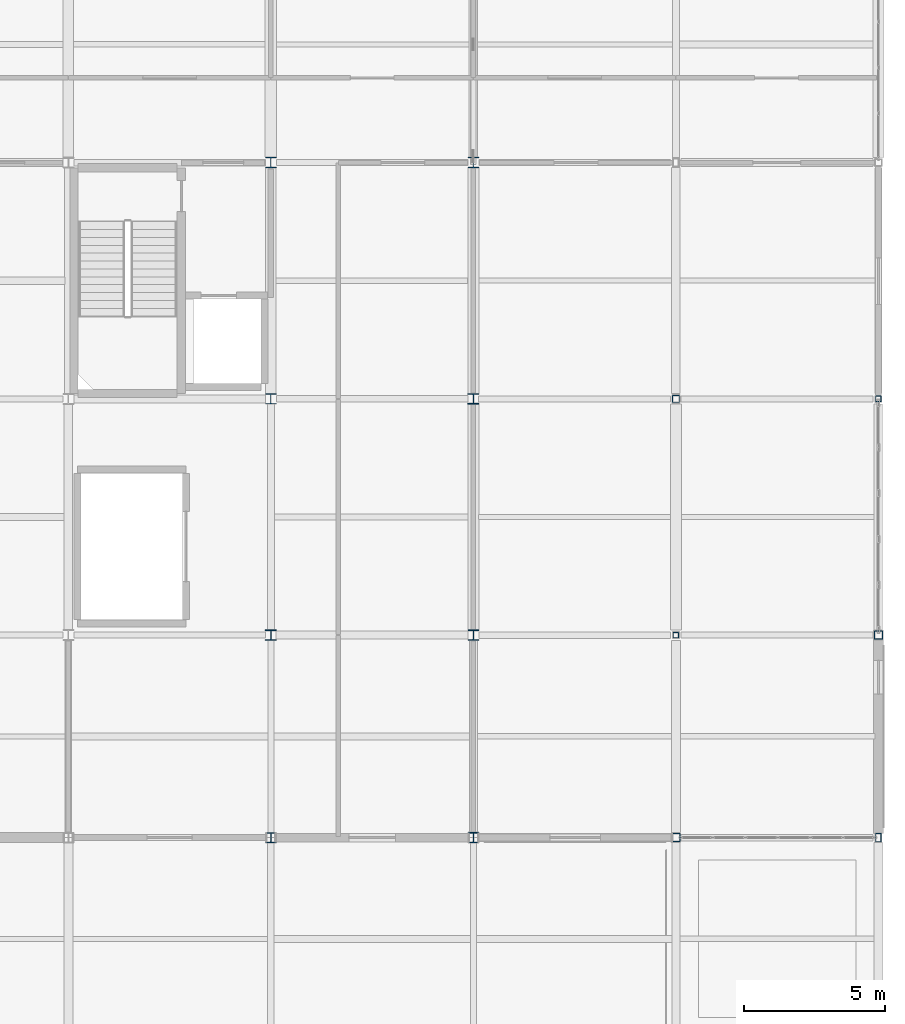
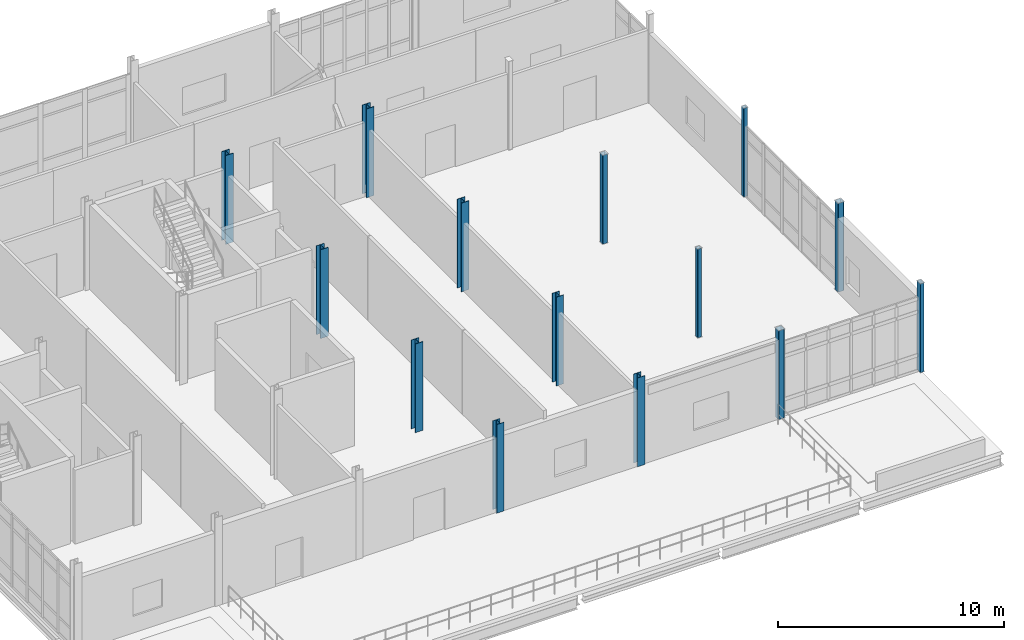
# One storey, part 13 of 153: 14 columns.
"""IFC4 building model written with IfcOpenShell, lengths in metres."""

from ifc_helpers import new_model, si_unit, direction, frame, origin, origin_2d, place, context, subcontext, project, spatial, hollow_rectangle, i_section, extrude, material, material_profile, profile_set, type_object, element, save


model = new_model("IFC4")

# Units and contexts
model_context = context("Model", 3, precision=1e-05, world=origin(), true_north=direction((0.0, 1.0)))
body_context = subcontext(model_context, "Body", "Model", "MODEL_VIEW")
ifc_project = project(units=[si_unit("LENGTHUNIT", "METRE"), si_unit("AREAUNIT", "SQUARE_METRE"), si_unit("VOLUMEUNIT", "CUBIC_METRE"), si_unit("PLANEANGLEUNIT", "RADIAN"), si_unit("MASSUNIT", "GRAM", prefix="KILO")], contexts=[model_context])

# Site, building, storey
site_placement = place(None, origin())
site = spatial("IfcSite", under=ifc_project, at=site_placement, CompositionType="ELEMENT")
building_placement = place(site_placement, origin())
building = spatial("IfcBuilding", under=site, at=building_placement, Name="Calvrana Isthmian Art Gallery", CompositionType="ELEMENT")
storey_placement = place(building_placement, frame((0.0, 0.0, 10.199951171875)))
storey = spatial("IfcBuildingStorey", under=building, at=storey_placement, Name="L02", CompositionType="ELEMENT", Elevation=10.199951171875)

# Columns
ifc_material_1 = material(Name="Steel ASTM A500 Gr C", Category="steel")
ifc_material_profile_1 = material_profile(ifc_material_1, hollow_rectangle(XDim=0.203125, YDim=0.203125, WallThickness=0.0126953125, OuterFilletRadius=0.02490234375, at=origin_2d()), Name="HSS203X203X12.7")
ifc_profile_set_1 = profile_set([ifc_material_profile_1], Name="Steel ASTM A500 Gr C")
column_type_1 = type_object("IfcColumnType", Name="COL-STL-HSS203X203X12.7", PredefinedType="COLUMN", material=ifc_profile_set_1)
for number, where, z_axis, x_axis, name in (
    (1, (148.800048828125, 21.60009765625, 0.0), (0.0, 0.0, 1.0), (1.0, 0.0, 0.0), "Column 20/D L02"),
    (2, (156.0, 30.0, 0.0), (0.0, 0.0, 1.0), (1.0, 0.0, 0.0), "Column 21/E L02"),
):
    element("IfcColumn", number, at=place(storey_placement, frame(where, z_axis=z_axis, x_axis=x_axis)), inside=storey, type_object=column_type_1, Name=name, PredefinedType="COLUMN", context=body_context, shape_type="SweptSolid", body=[
        extrude(hollow_rectangle(XDim=0.203125, YDim=0.203125, WallThickness=0.0126953125, OuterFilletRadius=0.02490234375, at=origin_2d()), origin(), (0.0, 0.0, 1.0), 4.800048828125),
    ])
ifc_material_profile_2 = material_profile(ifc_material_1, hollow_rectangle(XDim=0.25390625, YDim=0.25390625, WallThickness=0.0126953125, OuterFilletRadius=0.02490234375, at=origin_2d()), Name="HSS254X254X12.7")
ifc_profile_set_2 = profile_set([ifc_material_profile_2], Name="Steel ASTM A500 Gr C")
column_type_2 = type_object("IfcColumnType", Name="COL-STL-HSS254X254X12.7", PredefinedType="COLUMN", material=ifc_profile_set_2)
column_1_placement = place(storey_placement, frame((148.800048828125, 30.0, 0.0), z_axis=(0.0, 0.0, 1.0), x_axis=(1.0, 0.0, 0.0)))
element("IfcColumn", 3, at=column_1_placement, inside=storey, type_object=column_type_2, Name="Column 20/E L02", PredefinedType="COLUMN", context=body_context, shape_type="SweptSolid", body=[
    extrude(hollow_rectangle(XDim=0.25390625, YDim=0.25390625, WallThickness=0.0126953125, OuterFilletRadius=0.02490234375, at=origin_2d()), origin(), (0.0, 0.0, 1.0), 4.800048828125),
])
ifc_material_profile_3 = material_profile(ifc_material_1, hollow_rectangle(XDim=0.203125, YDim=0.3046875, WallThickness=0.0126953125, OuterFilletRadius=0.02490234375, at=origin_2d()), Name="HSS305X203X12.7")
ifc_profile_set_3 = profile_set([ifc_material_profile_3], Name="Steel ASTM A500 Gr C")
column_type_3 = type_object("IfcColumnType", Name="COL-STL-HSS305X203X12.7", PredefinedType="COLUMN", material=ifc_profile_set_3)
column_2_placement = place(storey_placement, frame((156.0, 14.39990234375, 0.0), z_axis=(0.0, 0.0, 1.0), x_axis=(1.0, 0.0, 0.0)))
element("IfcColumn", 4, at=column_2_placement, inside=storey, type_object=column_type_3, Name="Column 21/C L02", PredefinedType="COLUMN", context=body_context, shape_type="SweptSolid", body=[
    extrude(hollow_rectangle(XDim=0.203125, YDim=0.3046875, WallThickness=0.0126953125, OuterFilletRadius=0.02490234375, at=origin_2d()), origin(), (0.0, 0.0, 1.0), 4.800048828125),
])
ifc_material_profile_4 = material_profile(ifc_material_1, hollow_rectangle(XDim=0.3046875, YDim=0.3046875, WallThickness=0.015869140625, OuterFilletRadius=0.031982421875, at=origin_2d()), Name="HSS305X305X15.9")
ifc_profile_set_4 = profile_set([ifc_material_profile_4], Name="Steel ASTM A500 Gr C")
column_type_4 = type_object("IfcColumnType", Name="COL-STL-HSS305X305X15.9", PredefinedType="COLUMN", material=ifc_profile_set_4)
for number, where, z_axis, x_axis, name in (
    (5, (148.800048828125, 14.39990234375, 0.0), (0.0, 0.0, 1.0), (1.0, 0.0, 0.0), "Column 20/C L02"),
    (6, (156.0, 21.60009765625, 0.0), (0.0, 0.0, 1.0), (1.0, 0.0, 0.0), "Column 21/D L02"),
):
    element("IfcColumn", number, at=place(storey_placement, frame(where, z_axis=z_axis, x_axis=x_axis)), inside=storey, type_object=column_type_4, Name=name, PredefinedType="COLUMN", context=body_context, shape_type="SweptSolid", body=[
        extrude(hollow_rectangle(XDim=0.3046875, YDim=0.3046875, WallThickness=0.015869140625, OuterFilletRadius=0.031982421875, at=origin_2d()), origin(), (0.0, 0.0, 1.0), 4.800048828125),
    ])
ifc_material_2 = material(Name="Steel ASTM A992 Gr 50", Category="steel")
ifc_material_profile_5 = material_profile(ifc_material_2, i_section(OverallWidth=0.373046875, OverallDepth=0.373046875, WebThickness=0.016357421875, FlangeThickness=0.026123046875, FilletRadius=0.02490234375, at=origin_2d()), Name="W14X132")
ifc_profile_set_5 = profile_set([ifc_material_profile_5], Name="Steel ASTM A992 Gr 50")
column_type_5 = type_object("IfcColumnType", Name="COL-STL-W14X132", PredefinedType="COLUMN", material=ifc_profile_set_5)
for number, where, z_axis, x_axis, name in (
    (7, (141.60009765625, 14.39990234375, 0.0), (0.0, 0.0, 1.0), (1.0, 0.0, 0.0), "Column 19/C L02"),
    (8, (141.60009765625, 21.60009765625, 0.0), (0.0, 0.0, 1.0), (1.0, 0.0, 0.0), "Column 19/D L02"),
):
    element("IfcColumn", number, at=place(storey_placement, frame(where, z_axis=z_axis, x_axis=x_axis)), inside=storey, type_object=column_type_5, Name=name, PredefinedType="COLUMN", context=body_context, shape_type="SweptSolid", body=[
        extrude(i_section(OverallWidth=0.373046875, OverallDepth=0.373046875, WebThickness=0.016357421875, FlangeThickness=0.026123046875, FilletRadius=0.02490234375, at=origin_2d()), origin(), (0.0, 0.0, 1.0), 4.800048828125),
    ])
ifc_material_profile_6 = material_profile(ifc_material_2, i_section(OverallWidth=0.39404296875, OverallDepth=0.3759765625, WebThickness=0.017333984375, FlangeThickness=0.027587890625, FilletRadius=0.02490234375, at=origin_2d()), Name="W14X145")
ifc_profile_set_6 = profile_set([ifc_material_profile_6], Name="Steel ASTM A992 Gr 50")
column_type_6 = type_object("IfcColumnType", Name="COL-STL-W14X145", PredefinedType="COLUMN", material=ifc_profile_set_6)
for number, where, z_axis, x_axis, name in (
    (9, (134.39990234375, 21.60009765625, 0.0), (0.0, 0.0, 1.0), (1.0, 0.0, 0.0), "Column 18/D L02"),
    (10, (141.60009765625, 30.0, 0.0), (0.0, 0.0, 1.0), (1.0, 0.0, 0.0), "Column 19/E L02"),
):
    element("IfcColumn", number, at=place(storey_placement, frame(where, z_axis=z_axis, x_axis=x_axis)), inside=storey, type_object=column_type_6, Name=name, PredefinedType="COLUMN", context=body_context, shape_type="SweptSolid", body=[
        extrude(i_section(OverallWidth=0.39404296875, OverallDepth=0.3759765625, WebThickness=0.017333984375, FlangeThickness=0.027587890625, FilletRadius=0.02490234375, at=origin_2d()), origin(), (0.0, 0.0, 1.0), 4.800048828125),
    ])
ifc_material_profile_7 = material_profile(ifc_material_2, i_section(OverallWidth=0.39599609375, OverallDepth=0.381103515625, WebThickness=0.018798828125, FlangeThickness=0.0302734375, FilletRadius=0.02490234375, at=origin_2d()), Name="W14X159")
ifc_profile_set_7 = profile_set([ifc_material_profile_7], Name="Steel ASTM A992 Gr 50")
column_type_7 = type_object("IfcColumnType", Name="COL-STL-W14X159", PredefinedType="COLUMN", material=ifc_profile_set_7)
for number, where, z_axis, x_axis, name in (
    (11, (134.39990234375, 30.0, 0.0), (0.0, 0.0, 1.0), (1.0, 0.0, 0.0), "Column 18/E L02"),
    (12, (141.60009765625, 38.39990234375, 0.0), (0.0, 0.0, 1.0), (1.0, 0.0, 0.0), "Column 19/F L02"),
):
    element("IfcColumn", number, at=place(storey_placement, frame(where, z_axis=z_axis, x_axis=x_axis)), inside=storey, type_object=column_type_7, Name=name, PredefinedType="COLUMN", context=body_context, shape_type="SweptSolid", body=[
        extrude(i_section(OverallWidth=0.39599609375, OverallDepth=0.381103515625, WebThickness=0.018798828125, FlangeThickness=0.0302734375, FilletRadius=0.02490234375, at=origin_2d()), origin(), (0.0, 0.0, 1.0), 4.800048828125),
    ])
ifc_material_profile_8 = material_profile(ifc_material_2, i_section(OverallWidth=0.39892578125, OverallDepth=0.385986328125, WebThickness=0.02099609375, FlangeThickness=0.033203125, FilletRadius=0.02490234375, at=origin_2d()), Name="W14X176")
ifc_profile_set_8 = profile_set([ifc_material_profile_8], Name="Steel ASTM A992 Gr 50")
column_type_8 = type_object("IfcColumnType", Name="COL-STL-W14X176", PredefinedType="COLUMN", material=ifc_profile_set_8)
column_3_placement = place(storey_placement, frame((134.39990234375, 38.39990234375, 0.0), z_axis=(0.0, 0.0, 1.0), x_axis=(1.0, 0.0, 0.0)))
element("IfcColumn", 13, at=column_3_placement, inside=storey, type_object=column_type_8, Name="Column 18/F L02", PredefinedType="COLUMN", context=body_context, shape_type="SweptSolid", body=[
    extrude(i_section(OverallWidth=0.39892578125, OverallDepth=0.385986328125, WebThickness=0.02099609375, FlangeThickness=0.033203125, FilletRadius=0.02490234375, at=origin_2d()), origin(), (0.0, 0.0, 1.0), 4.800048828125),
])
ifc_material_profile_9 = material_profile(ifc_material_2, i_section(OverallWidth=0.367919921875, OverallDepth=0.35595703125, WebThickness=0.01123046875, FlangeThickness=0.01806640625, FilletRadius=0.02490234375, at=origin_2d()), Name="W14X90")
ifc_profile_set_9 = profile_set([ifc_material_profile_9], Name="Steel ASTM A992 Gr 50")
column_type_9 = type_object("IfcColumnType", Name="COL-STL-W14X90", PredefinedType="COLUMN", material=ifc_profile_set_9)
column_4_placement = place(storey_placement, frame((134.39990234375, 14.39990234375, 0.0), z_axis=(0.0, 0.0, 1.0), x_axis=(1.0, 0.0, 0.0)))
element("IfcColumn", 14, at=column_4_placement, inside=storey, type_object=column_type_9, Name="Column 18/C L02", PredefinedType="COLUMN", context=body_context, shape_type="SweptSolid", body=[
    extrude(i_section(OverallWidth=0.367919921875, OverallDepth=0.35595703125, WebThickness=0.01123046875, FlangeThickness=0.01806640625, FilletRadius=0.02490234375, at=origin_2d()), origin(), (0.0, 0.0, 1.0), 4.800048828125),
])

save(model, "model.ifc")
